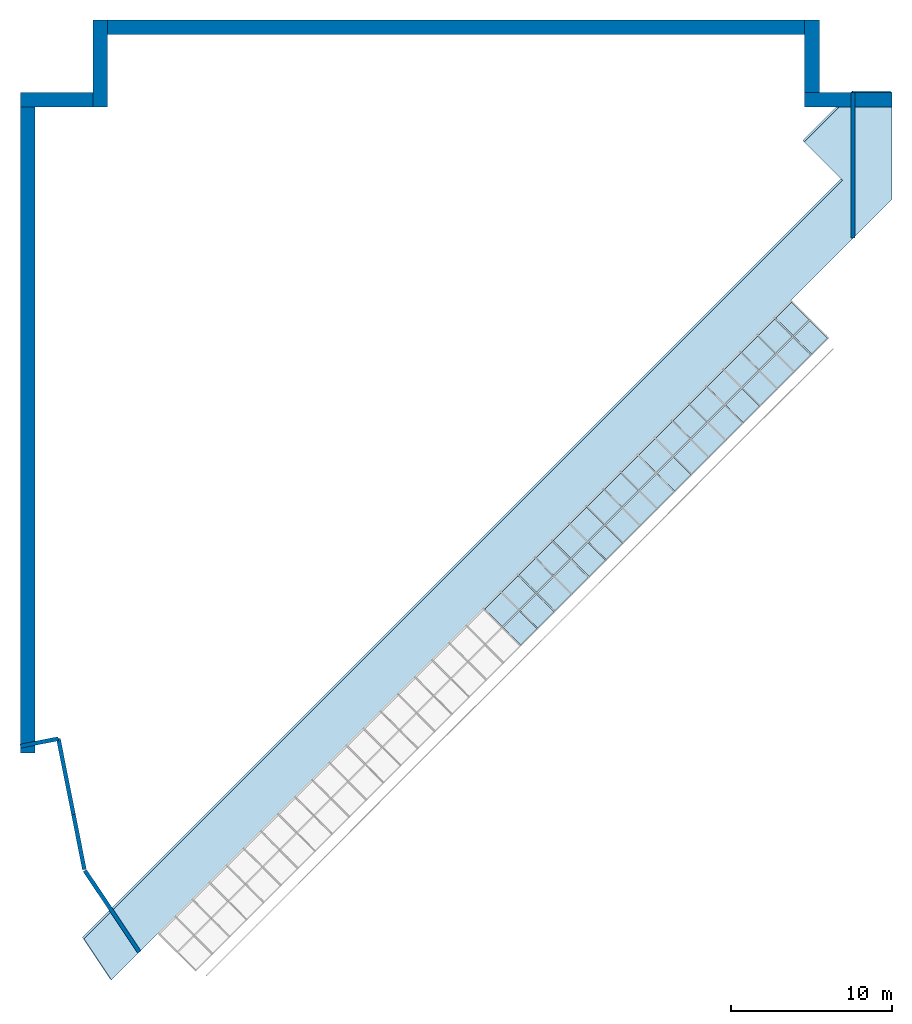
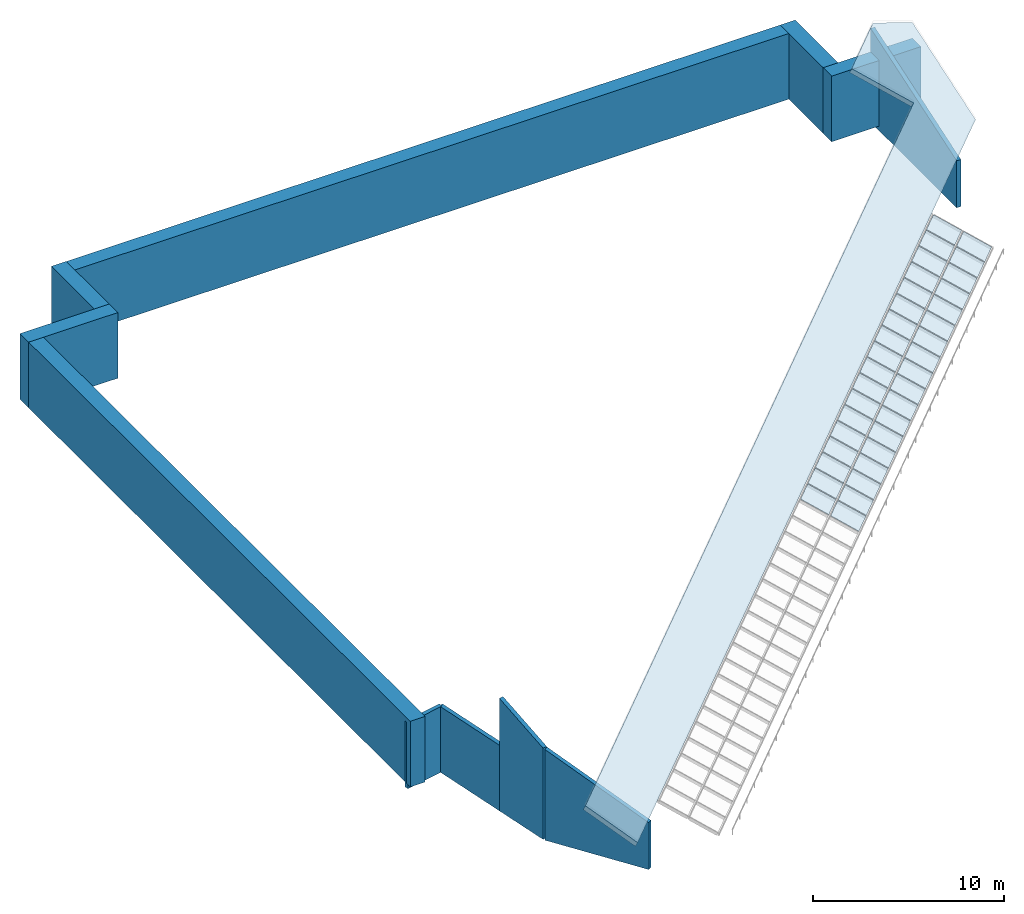
# One storey, part 3 of 4: 36 plates, 11 walls, 1 slab, 1 element without a shape of its own.
"""IFC4 building model written with IfcOpenShell, lengths in metres."""

import ifcopenshell
import ifcopenshell.guid

model = None  # the IFC model being written
_history = None  # IfcOwnerHistory: only IFC2X3 demands one
_inside = {}  # id of a spatial element -> (the spatial element, [elements in it])
_under = {}  # id of a project, library or spatial element -> (it, [spatial elements below it])
_declared = {}  # id of a project -> (the project, [libraries it declares])
_typed = {}  # id of a type object -> (the type object, [elements of that type])
_made_of = {}  # id of a material, layer set ... -> (it, [elements and type objects made of it])


def new_model(schema):
    """Start an empty IFC model of exactly this schema.

    Asked for "IFC4X3", IfcOpenShell would pick the latest addendum, in which some entities
    have other attributes; the version numbers below select the first issue.
    IFC2X3 requires an IfcOwnerHistory on every rooted entity: one is made here for all.
    """
    global model, _history
    if schema == "IFC4X3":
        model = ifcopenshell.file(schema_version=(4, 3, 0, 0))
    else:
        model = ifcopenshell.file(schema=schema)
    _inside.clear()
    _under.clear()
    _declared.clear()
    _typed.clear()
    _made_of.clear()
    _history = None
    if model.schema == "IFC2X3":
        org = make("IfcOrganization", Name="unknown")
        user = make(
            "IfcPersonAndOrganization",
            ThePerson=make("IfcPerson", FamilyName="unknown"),
            TheOrganization=org,
        )
        app = make(
            "IfcApplication",
            ApplicationDeveloper=org,
            Version="unknown",
            ApplicationFullName="unknown",
            ApplicationIdentifier="unknown",
        )
        _history = make(
            "IfcOwnerHistory",
            OwningUser=user,
            OwningApplication=app,
            ChangeAction="ADDED",
            CreationDate=0,
        )
    return model


def make(cls, **values):
    """One entity of the class cls with the attributes given. An attribute that is None is left unset."""
    return model.create_entity(
        cls, **{name: value for name, value in values.items() if value is not None}
    )


def rooted(cls, **values):
    """An entity with a GlobalId (a new one), such as an element, a storey or a relation."""
    return make(cls, GlobalId=ifcopenshell.guid.new(), OwnerHistory=_history, **values)


def si_unit(unit_type, name, prefix=None):
    """IfcSIUnit, for example si_unit("LENGTHUNIT", "METRE", prefix="MILLI")."""
    return make("IfcSIUnit", UnitType=unit_type, Prefix=prefix, Name=name)


def assignment(units):
    """IfcUnitAssignment: the units of a project."""
    return None if units is None else make("IfcUnitAssignment", Units=units)


def point(xyz):
    """IfcCartesianPoint."""
    return None if xyz is None else make("IfcCartesianPoint", Coordinates=xyz)


def direction(xyz):
    """IfcDirection."""
    return None if xyz is None else make("IfcDirection", DirectionRatios=xyz)


def frame(location, z_axis=None, x_axis=None):
    """IfcAxis2Placement3D, a coordinate frame: its origin and axes. An axis left out is left unset."""
    return make(
        "IfcAxis2Placement3D",
        Location=point(location),
        Axis=direction(z_axis),
        RefDirection=direction(x_axis),
    )


def frame_2d(location, x_axis=None):
    """IfcAxis2Placement2D, a coordinate frame in the plane: its origin and x axis."""
    return make(
        "IfcAxis2Placement2D", Location=point(location), RefDirection=direction(x_axis)
    )


def origin():
    """The frame at (0, 0, 0) with its axes left unset."""
    return frame((0.0, 0.0, 0.0))


def place(relative_to, where):
    """IfcLocalPlacement: puts the frame where relative to a parent placement (None: the world)."""
    return make(
        "IfcLocalPlacement", PlacementRelTo=relative_to, RelativePlacement=where
    )


def context(
    kind, dimensions, precision=None, world=None, true_north=None, identifier=None
):
    """IfcGeometricRepresentationContext, for example the 3D "Model" context."""
    return make(
        "IfcGeometricRepresentationContext",
        ContextIdentifier=identifier,
        ContextType=kind,
        CoordinateSpaceDimension=dimensions,
        Precision=precision,
        WorldCoordinateSystem=world,
        TrueNorth=true_north,
    )


def subcontext(parent, identifier, kind, view, scale=None):
    """IfcGeometricRepresentationSubContext, for example "Body" below "Model"."""
    return make(
        "IfcGeometricRepresentationSubContext",
        ContextIdentifier=identifier,
        ContextType=kind,
        ParentContext=parent,
        TargetScale=scale,
        TargetView=view,
    )


def project(units=None, contexts=None):
    """IfcProject with its units and contexts."""
    return rooted(
        "IfcProject",
        Name="project",
        RepresentationContexts=contexts,
        UnitsInContext=assignment(units),
    )


def spatial(cls, under=None, at=None, **own):
    """A site, building, storey or space (cls), placed at a placement, below another one or the project."""
    s = rooted(cls, ObjectPlacement=at, **own)
    if under is not None:
        _under.setdefault(under.id(), (under, []))[1].append(s)
    return s


def polyline(points):
    """IfcPolyline through the points."""
    return make("IfcPolyline", Points=[point(p) for p in points])


def profile(cls, at=None, kind="AREA", **sizes):
    """A parametric profile (cls). Its sizes go by their IFC names, for example OverallWidth=200.0."""
    return make(cls, ProfileType=kind, Position=at, **sizes)


def rectangle(**sizes):
    """IfcRectangleProfileDef."""
    return profile("IfcRectangleProfileDef", **sizes)


def outline(outer, holes=None, kind="AREA"):
    """IfcArbitraryClosedProfileDef: a profile drawn as a closed curve; with holes, ...WithVoids."""
    if holes is None:
        return make("IfcArbitraryClosedProfileDef", ProfileType=kind, OuterCurve=outer)
    return make(
        "IfcArbitraryProfileDefWithVoids",
        ProfileType=kind,
        OuterCurve=outer,
        InnerCurves=holes,
    )


def extrude(swept, where, along, depth):
    """IfcExtrudedAreaSolid: the profile swept, set in the frame where, extruded along a direction by depth."""
    return make(
        "IfcExtrudedAreaSolid",
        SweptArea=swept,
        Position=where,
        ExtrudedDirection=direction(along),
        Depth=depth,
    )


def shape(context_of_items, identifier, shape_type, items):
    """IfcShapeRepresentation: the items that make up one representation, for example the "Body"."""
    return make(
        "IfcShapeRepresentation",
        ContextOfItems=context_of_items,
        RepresentationIdentifier=identifier,
        RepresentationType=shape_type,
        Items=items,
    )


def material(Name=None, Category=None):
    """IfcMaterial."""
    return make("IfcMaterial", Name=Name, Category=Category)


def layer(
    of_material, thickness, ventilated=None, Name=None, Category=None, Priority=None
):
    """IfcMaterialLayer: one layer of a wall or slab, of a material (None: an air gap)."""
    return make(
        "IfcMaterialLayer",
        Material=of_material,
        LayerThickness=thickness,
        IsVentilated=ventilated,
        Name=Name,
        Category=Category,
        Priority=Priority,
    )


def layer_set(layers, Name=None):
    """IfcMaterialLayerSet."""
    return make("IfcMaterialLayerSet", MaterialLayers=layers, LayerSetName=Name)


def made_of(thing, what):
    """Note that an element or type object is made of a material, layer set ...; save() writes the relation."""
    if what is not None:
        _made_of.setdefault(what.id(), (what, []))[1].append(thing)
    return thing


def type_object(cls, material=None, **own):
    """A type object (cls), such as IfcWallType, which elements share."""
    return made_of(rooted(cls, **own), material)


def element(
    cls,
    number,
    at=None,
    inside=None,
    cuts=None,
    type_object=None,
    material=None,
    context=None,
    identifier="Body",
    shape_type=None,
    held_by="IfcProductDefinitionShape",
    body=None,
    shapes=None,
    **own,
):
    """One element of the class cls, such as IfcWall. Its Tag is "e" and its number.

    at: its placement. inside: the storey or other place that contains it. cuts: it is an
    opening in that element (IfcRelVoidsElement). A single representation is given by context,
    identifier, shape_type and body (its items); several are given by shapes. held_by: the class
    of the entity that holds the representations. save() writes the other relations.
    """
    e = rooted(cls, Tag="e%d" % number, ObjectPlacement=at, **own)
    if body is not None:
        shapes = [shape(context, identifier, shape_type, body)]
    if shapes is not None:
        e.Representation = make(held_by, Representations=shapes)
    if inside is not None:
        _inside.setdefault(inside.id(), (inside, []))[1].append(e)
    if cuts is not None:
        rooted(
            "IfcRelVoidsElement", RelatingBuildingElement=cuts, RelatedOpeningElement=e
        )
    if type_object is not None:
        _typed.setdefault(type_object.id(), (type_object, []))[1].append(e)
    return made_of(e, material)


def aggregate(whole, parts):
    """IfcRelAggregates: a whole, such as a stair, and the parts it consists of."""
    return rooted("IfcRelAggregates", RelatingObject=whole, RelatedObjects=parts)


def save(model, path):
    """Write the relations noted so far, then the file.

    IfcRelAggregates (storeys below a building ...), IfcRelContainedInSpatialStructure (elements
    in a storey), IfcRelDefinesByType, IfcRelAssociatesMaterial and IfcRelDeclares: one each for
    every whole, place, type object, material and project.
    """
    for whole, parts in _under.values():
        aggregate(whole, parts)
    for where, things in _inside.values():
        rooted(
            "IfcRelContainedInSpatialStructure",
            RelatedElements=things,
            RelatingStructure=where,
        )
    for kind, things in _typed.values():
        rooted("IfcRelDefinesByType", RelatedObjects=things, RelatingType=kind)
    for what, things in _made_of.values():
        rooted("IfcRelAssociatesMaterial", RelatedObjects=things, RelatingMaterial=what)
    for by, libraries in _declared.values():
        rooted("IfcRelDeclares", RelatingContext=by, RelatedDefinitions=libraries)
    model.write(path)


model = new_model("IFC4")

# Units and contexts
model_context = context("Model", 3, precision=1e-05, world=origin(), true_north=direction((0.0, 1.0)))
body_context = subcontext(model_context, "Body", "Model", "MODEL_VIEW")
ifc_project = project(units=[si_unit("LENGTHUNIT", "METRE"), si_unit("AREAUNIT", "SQUARE_METRE"), si_unit("VOLUMEUNIT", "CUBIC_METRE"), si_unit("PLANEANGLEUNIT", "RADIAN"), si_unit("MASSUNIT", "GRAM", prefix="KILO")], contexts=[model_context])

# Site, building, storey
site_placement = place(None, origin())
site = spatial("IfcSite", under=ifc_project, at=site_placement, CompositionType="ELEMENT")
building_placement = place(site_placement, origin())
building = spatial("IfcBuilding", under=site, at=building_placement, Name="Hunhe Ridgeline Campus", CompositionType="ELEMENT")
storey_placement = place(building_placement, frame((0.0, 0.0, 311.39990234375)))
storey = spatial("IfcBuildingStorey", under=building, at=storey_placement, Name="L80 Crown", CompositionType="ELEMENT", Elevation=311.39990234375)

# Slab
ifc_material_1 = material(Name="Concrete C40", Category="concrete")
ifc_layer_1 = layer(ifc_material_1, 0.300048828125)
ifc_layer_set_1 = layer_set([ifc_layer_1], Name="Roof slab 300 Concrete C40")
slab_type = type_object("IfcSlabType", Name="Roof slab 300 Concrete C40", PredefinedType="ROOF", material=ifc_layer_set_1)
slab_placement = place(storey_placement, frame((54.0, 94.5, 5.20751953125), z_axis=(0.301522620706, -0.301524085336, 0.904526027909), x_axis=(-0.948681079649, -2.1693715e-05, 0.316234420399)))
element("IfcSlab", 1, at=slab_placement, inside=storey, type_object=slab_type, Name="Crown roof slab 4", PredefinedType="ROOF", context=body_context, shape_type="SweptSolid", body=[
    extrude(outline(polyline([(0.0, 0.0), (2.507278545424144, -2.7755575615628914e-17), (5.407585217313875, 3.2062899912251406), (2.6495942608557694, 5.701079792919988), (47.243256946710545, 54.99938873642412), (45.183811387778725, 57.666794439921375), (-0.6978728124011416, 6.944577283575597), (0.0, 0.0)])), origin(), (0.0, 0.0, -1.0), 0.300048828125),
])

# Curtain wall, plates
ifc_material_2 = material(Name="Aluminium 6063", Category="aluminium")
curtain_wall_type = type_object("IfcCurtainWallType", Name="Curtain wall CW-6", PredefinedType="NOTDEFINED", material=ifc_material_2)
curtain_wall_placement = place(storey_placement, origin())
curtain_wall = element("IfcCurtainWall", 2, at=curtain_wall_placement, inside=storey, type_object=curtain_wall_type, Name="Rooflight 2", PredefinedType="NOTDEFINED")
ifc_material_3 = material(Name="Low-e laminated glass", Category="glass")
ifc_layer_2 = layer(ifc_material_3, 0.0400390625)
ifc_layer_set_2 = layer_set([ifc_layer_2], Name="Rooflight glass panel 40 low-e laminated")
plate_type = type_object("IfcPlateType", Name="Rooflight glass panel 40 low-e laminated", PredefinedType="CURTAIN_PANEL", material=ifc_layer_set_2)
plate_1_placement = place(storey_placement, frame((50.019287109375, 79.2822265625, 1.46142578125), z_axis=(0.301548655301, -0.301474033015, 0.904534032474), x_axis=(-0.639602149067, 0.639602149067, 0.426401432711)))
plate_1 = element("IfcPlate", 3, at=plate_1_placement, type_object=plate_type, Name="Rooflight panel 1.1", PredefinedType="CURTAIN_PANEL", context=body_context, shape_type="SweptSolid", body=[
    extrude(outline(polyline([(0.0, 0.0), (1.6936340109323371, -1.1218781979793757e-16), (1.6934778580639125, 1.3950512467586067), (-0.00015615286842451948, 1.395051246758607), (0.0, 0.0)])), origin(), (0.0, 0.0, -1.0), 0.0400390625),
])
plate_2_placement = place(storey_placement, frame((48.9833984375, 78.246337890625, 1.46142578125), z_axis=(0.301547745403, -0.301474942954, 0.904534032535), x_axis=(-0.639602149067, 0.639602149067, 0.426401432711)))
plate_2 = element("IfcPlate", 4, at=plate_2_placement, type_object=plate_type, Name="Rooflight panel 1.2", PredefinedType="CURTAIN_PANEL", context=body_context, shape_type="SweptSolid", body=[
    extrude(outline(polyline([(0.0, 0.0), (1.6936340109323371, 3.6469850576981155e-17), (1.6934778580639125, 1.4299232119943703), (-0.00015615286842451948, 1.4299232119943701), (0.0, 0.0)])), origin(), (0.0, 0.0, -1.0), 0.0400390625),
])
plate_3_placement = place(storey_placement, frame((47.9228515625, 77.185546875, 1.46142578125), z_axis=(0.301511344578, -0.301511344578, 0.904534033733), x_axis=(-0.639602149067, 0.639602149067, 0.426401432711)))
plate_3 = element("IfcPlate", 5, at=plate_3_placement, type_object=plate_type, Name="Rooflight panel 1.3", PredefinedType="CURTAIN_PANEL", context=body_context, shape_type="SweptSolid", body=[
    extrude(outline(polyline([(0.0, 0.0), (1.6936340109323371, 0.0), (1.693634010932337, 1.4300958435911524), (0.0, 1.4300958435911524), (0.0, 0.0)])), origin(), (0.0, 0.0, -1.0), 0.0400390625),
])
plate_4_placement = place(storey_placement, frame((46.862060546875, 76.125, 1.46142578125), z_axis=(0.301547745403, -0.301474942954, 0.904534032535), x_axis=(-0.639602149067, 0.639602149067, 0.426401432711)))
plate_4 = element("IfcPlate", 6, at=plate_4_placement, type_object=plate_type, Name="Rooflight panel 1.4", PredefinedType="CURTAIN_PANEL", context=body_context, shape_type="SweptSolid", body=[
    extrude(outline(polyline([(0.0, 0.0), (1.6936340109323371, 3.6469850576981155e-17), (1.6934778580639125, 1.4299232119943703), (-0.00015615286842451948, 1.4299232119943701), (0.0, 0.0)])), origin(), (0.0, 0.0, -1.0), 0.0400390625),
])
plate_5_placement = place(storey_placement, frame((45.801513671875, 75.064208984375, 1.46142578125), z_axis=(0.301479245877, -0.301515643227, 0.90454329979), x_axis=(-0.639608700975, 0.639608701766, 0.426381775248)))
plate_5 = element("IfcPlate", 7, at=plate_5_placement, type_object=plate_type, Name="Rooflight panel 1.5", PredefinedType="CURTAIN_PANEL", context=body_context, shape_type="SweptSolid", body=[
    extrude(outline(polyline([(0.0, 0.0), (1.6936340105324015, -2.110128478199913e-17), (1.6937901642007342, 1.4299232115205895), (-7.998715023660452e-10, 1.4300958431175164), (0.0, 0.0)])), origin(), (0.0, 0.0, -1.0), 0.0400390625),
])
plate_6_placement = place(storey_placement, frame((44.740966796875, 74.003662109375, 1.46142578125), z_axis=(0.301515643227, -0.301479245877, 0.90454329979), x_axis=(-0.639680766185, 0.639536628329, 0.426381775406)))
plate_6 = element("IfcPlate", 8, at=plate_6_placement, type_object=plate_type, Name="Rooflight panel 1.6", PredefinedType="CURTAIN_PANEL", context=body_context, shape_type="SweptSolid", body=[
    extrude(outline(polyline([(0.0, 0.0), (1.6937901737979375, 9.269928574751063e-17), (1.6937797583282785, 1.4299232200089778), (0.0001457565923979054, 1.430095835689698), (0.0, 0.0)])), origin(), (0.0, 0.0, -1.0), 0.0400390625),
])
plate_7_placement = place(storey_placement, frame((43.68017578125, 72.94287109375, 1.46142578125), z_axis=(0.301474942954, -0.301547745403, 0.904534032535), x_axis=(-0.639602149067, 0.639602149067, 0.426401432711)))
plate_7 = element("IfcPlate", 9, at=plate_7_placement, type_object=plate_type, Name="Rooflight panel 1.7", PredefinedType="CURTAIN_PANEL", context=body_context, shape_type="SweptSolid", body=[
    extrude(outline(polyline([(0.0, 0.0), (1.6936340109323371, -3.6469850576981155e-17), (1.6937901638007615, 1.4299232119943701), (0.00015615286842451948, 1.4299232119943701), (0.0, 0.0)])), origin(), (0.0, 0.0, -1.0), 0.0400390625),
])
plate_8_placement = place(storey_placement, frame((42.61962890625, 71.88232421875, 1.46142578125), z_axis=(0.301511344578, -0.301511344578, 0.904534033733), x_axis=(-0.639602149067, 0.639602149067, 0.426401432711)))
plate_8 = element("IfcPlate", 10, at=plate_8_placement, type_object=plate_type, Name="Rooflight panel 1.8", PredefinedType="CURTAIN_PANEL", context=body_context, shape_type="SweptSolid", body=[
    extrude(outline(polyline([(0.0, 0.0), (1.6936340109323371, 0.0), (1.693634010932337, 1.4300958435911524), (0.0, 1.4300958435911524), (0.0, 0.0)])), origin(), (0.0, 0.0, -1.0), 0.0400390625),
])
plate_9_placement = place(storey_placement, frame((41.558837890625, 70.821533203125, 1.46142578125), z_axis=(0.301474942954, -0.301547745403, 0.904534032535), x_axis=(-0.639602149067, 0.639602149067, 0.426401432711)))
plate_9 = element("IfcPlate", 11, at=plate_9_placement, type_object=plate_type, Name="Rooflight panel 1.9", PredefinedType="CURTAIN_PANEL", context=body_context, shape_type="SweptSolid", body=[
    extrude(outline(polyline([(0.0, 0.0), (1.6936340109323371, -3.6469850576981155e-17), (1.6937901638007615, 1.4299232119943701), (0.00015615286842451948, 1.4299232119943701), (0.0, 0.0)])), origin(), (0.0, 0.0, -1.0), 0.0400390625),
])
plate_10_placement = place(storey_placement, frame((40.498291015625, 69.760986328125, 1.46142578125), z_axis=(0.301511344578, -0.301511344578, 0.904534033733), x_axis=(-0.639602149067, 0.639602149067, 0.426401432711)))
plate_10 = element("IfcPlate", 12, at=plate_10_placement, type_object=plate_type, Name="Rooflight panel 1.10", PredefinedType="CURTAIN_PANEL", context=body_context, shape_type="SweptSolid", body=[
    extrude(outline(polyline([(0.0, 0.0), (1.6936340109323371, 0.0), (1.693634010932337, 1.4300958435911524), (0.0, 1.4300958435911524), (0.0, 0.0)])), origin(), (0.0, 0.0, -1.0), 0.0400390625),
])
plate_11_placement = place(storey_placement, frame((39.4375, 68.7001953125, 1.46142578125), z_axis=(0.301474942954, -0.301547745403, 0.904534032535), x_axis=(-0.639602149067, 0.639602149067, 0.426401432711)))
plate_11 = element("IfcPlate", 13, at=plate_11_placement, type_object=plate_type, Name="Rooflight panel 1.11", PredefinedType="CURTAIN_PANEL", context=body_context, shape_type="SweptSolid", body=[
    extrude(outline(polyline([(0.0, 0.0), (1.6936340109323371, -3.6469850576981155e-17), (1.6937901638007615, 1.4299232119943701), (0.00015615286842451948, 1.4299232119943701), (0.0, 0.0)])), origin(), (0.0, 0.0, -1.0), 0.0400390625),
])
plate_12_placement = place(storey_placement, frame((38.376953125, 67.6396484375, 1.46142578125), z_axis=(0.301511344578, -0.301511344578, 0.904534033733), x_axis=(-0.639602149067, 0.639602149067, 0.426401432711)))
plate_12 = element("IfcPlate", 14, at=plate_12_placement, type_object=plate_type, Name="Rooflight panel 1.12", PredefinedType="CURTAIN_PANEL", context=body_context, shape_type="SweptSolid", body=[
    extrude(outline(polyline([(0.0, 0.0), (1.6936340109323371, 0.0), (1.693634010932337, 1.4300958435911524), (0.0, 1.4300958435911524), (0.0, 0.0)])), origin(), (0.0, 0.0, -1.0), 0.0400390625),
])
plate_13_placement = place(storey_placement, frame((37.316162109375, 66.578857421875, 1.46142578125), z_axis=(0.301483547543, -0.301483547543, 0.904552564046), x_axis=(-0.63954317933, 0.639687317978, 0.426362119554)))
plate_13 = element("IfcPlate", 15, at=plate_13_placement, type_object=plate_type, Name="Rooflight panel 1.13", PredefinedType="CURTAIN_PANEL", context=body_context, shape_type="SweptSolid", body=[
    extrude(outline(polyline([(0.0, 0.0), (1.6937901741978365, -3.077778917143226e-17), (1.6936444168056752, 1.4300958361632525), (-0.00014572220206188202, 1.4297505691820445), (0.0, 0.0)])), origin(), (0.0, 0.0, -1.0), 0.0400390625),
])
plate_14_placement = place(storey_placement, frame((36.255615234375, 65.518310546875, 1.46142578125), z_axis=(0.301511344578, -0.301511344578, 0.904534033733), x_axis=(-0.639602149067, 0.639602149067, 0.426401432711)))
plate_14 = element("IfcPlate", 16, at=plate_14_placement, type_object=plate_type, Name="Rooflight panel 1.14", PredefinedType="CURTAIN_PANEL", context=body_context, shape_type="SweptSolid", body=[
    extrude(outline(polyline([(0.0, 0.0), (1.6936340109323371, 0.0), (1.693634010932337, 1.4300958435911524), (0.0, 1.4300958435911524), (0.0, 0.0)])), origin(), (0.0, 0.0, -1.0), 0.0400390625),
])
plate_15_placement = place(storey_placement, frame((35.19482421875, 64.457763671875, 1.46142578125), z_axis=(0.301547745403, -0.301474942954, 0.904534032535), x_axis=(-0.639602149067, 0.639602149067, 0.426401432711)))
plate_15 = element("IfcPlate", 17, at=plate_15_placement, type_object=plate_type, Name="Rooflight panel 1.15", PredefinedType="CURTAIN_PANEL", context=body_context, shape_type="SweptSolid", body=[
    extrude(outline(polyline([(0.0, 0.0), (1.6936340109323371, 3.6469850576981155e-17), (1.6934778580639125, 1.4299232119943703), (-0.00015615286842451948, 1.4299232119943701), (0.0, 0.0)])), origin(), (0.0, 0.0, -1.0), 0.0400390625),
])
plate_16_placement = place(storey_placement, frame((34.13427734375, 63.39697265625, 1.46142578125), z_axis=(0.301511344578, -0.301511344578, 0.904534033733), x_axis=(-0.639602149067, 0.639602149067, 0.426401432711)))
plate_16 = element("IfcPlate", 18, at=plate_16_placement, type_object=plate_type, Name="Rooflight panel 1.16", PredefinedType="CURTAIN_PANEL", context=body_context, shape_type="SweptSolid", body=[
    extrude(outline(polyline([(0.0, 0.0), (1.6936340109323371, 0.0), (1.693634010932337, 1.4300958435911524), (0.0, 1.4300958435911524), (0.0, 0.0)])), origin(), (0.0, 0.0, -1.0), 0.0400390625),
])
plate_17_placement = place(storey_placement, frame((33.073486328125, 62.33642578125, 1.46142578125), z_axis=(0.301547745403, -0.301474942954, 0.904534032535), x_axis=(-0.639602149067, 0.639602149067, 0.426401432711)))
plate_17 = element("IfcPlate", 19, at=plate_17_placement, type_object=plate_type, Name="Rooflight panel 1.17", PredefinedType="CURTAIN_PANEL", context=body_context, shape_type="SweptSolid", body=[
    extrude(outline(polyline([(0.0, 0.0), (1.6936340109323371, 3.6469850576981155e-17), (1.6934778580639125, 1.4299232119943703), (-0.00015615286842451948, 1.4299232119943701), (0.0, 0.0)])), origin(), (0.0, 0.0, -1.0), 0.0400390625),
])
plate_18_placement = place(storey_placement, frame((32.012939453125, 61.275634765625, 1.46142578125), z_axis=(0.301479245877, -0.301515643227, 0.90454329979), x_axis=(-0.639608700975, 0.639608701766, 0.426381775248)))
plate_18 = element("IfcPlate", 20, at=plate_18_placement, type_object=plate_type, Name="Rooflight panel 1.18", PredefinedType="CURTAIN_PANEL", context=body_context, shape_type="SweptSolid", body=[
    extrude(outline(polyline([(0.0, 0.0), (1.6936340105324015, -2.110128478199913e-17), (1.6937901642007342, 1.4299232115205895), (-7.998715023660452e-10, 1.4300958431175164), (0.0, 0.0)])), origin(), (0.0, 0.0, -1.0), 0.0400390625),
])
plate_19_placement = place(storey_placement, frame((48.865478515625, 80.43603515625, 2.230712890625), z_axis=(0.301474033015, -0.301548655301, 0.904534032474), x_axis=(-0.639602149067, 0.639602149067, 0.426401432711)))
plate_19 = element("IfcPlate", 21, at=plate_19_placement, type_object=plate_type, Name="Rooflight panel 2.1", PredefinedType="CURTAIN_PANEL", context=body_context, shape_type="SweptSolid", body=[
    extrude(outline(polyline([(0.0, 0.0), (1.6936340109323371, 1.1218781979793757e-16), (1.6937901638007615, 1.3950512467586071), (0.00015615286842451948, 1.395051246758607), (0.0, 0.0)])), origin(), (0.0, 0.0, -1.0), 0.0400390625),
])
plate_20_placement = place(storey_placement, frame((47.82958984375, 79.400146484375, 2.230712890625), z_axis=(0.301474942954, -0.301547745403, 0.904534032535), x_axis=(-0.639602149067, 0.639602149067, 0.426401432711)))
plate_20 = element("IfcPlate", 22, at=plate_20_placement, type_object=plate_type, Name="Rooflight panel 2.2", PredefinedType="CURTAIN_PANEL", context=body_context, shape_type="SweptSolid", body=[
    extrude(outline(polyline([(0.0, 0.0), (1.6936340109323371, -3.6469850576981155e-17), (1.6937901638007615, 1.4299232119943701), (0.00015615286842451948, 1.4299232119943701), (0.0, 0.0)])), origin(), (0.0, 0.0, -1.0), 0.0400390625),
])
plate_21_placement = place(storey_placement, frame((46.768798828125, 78.339599609375, 2.230712890625), z_axis=(0.301511344578, -0.301511344578, 0.904534033733), x_axis=(-0.639602149067, 0.639602149067, 0.426401432711)))
plate_21 = element("IfcPlate", 23, at=plate_21_placement, type_object=plate_type, Name="Rooflight panel 2.3", PredefinedType="CURTAIN_PANEL", context=body_context, shape_type="SweptSolid", body=[
    extrude(outline(polyline([(0.0, 0.0), (1.6936340109323371, 0.0), (1.693634010932337, 1.4300958435911524), (0.0, 1.4300958435911524), (0.0, 0.0)])), origin(), (0.0, 0.0, -1.0), 0.0400390625),
])
plate_22_placement = place(storey_placement, frame((45.708251953125, 77.27880859375, 2.230712890625), z_axis=(0.301474942954, -0.301547745403, 0.904534032535), x_axis=(-0.639602149067, 0.639602149067, 0.426401432711)))
plate_22 = element("IfcPlate", 24, at=plate_22_placement, type_object=plate_type, Name="Rooflight panel 2.4", PredefinedType="CURTAIN_PANEL", context=body_context, shape_type="SweptSolid", body=[
    extrude(outline(polyline([(0.0, 0.0), (1.6936340109323371, -3.6469850576981155e-17), (1.6937901638007615, 1.4299232119943701), (0.00015615286842451948, 1.4299232119943701), (0.0, 0.0)])), origin(), (0.0, 0.0, -1.0), 0.0400390625),
])
plate_23_placement = place(storey_placement, frame((44.6474609375, 76.21826171875, 2.230712890625), z_axis=(0.301515643227, -0.301479245877, 0.90454329979), x_axis=(-0.639608701766, 0.639608700975, 0.426381775248)))
plate_23 = element("IfcPlate", 25, at=plate_23_placement, type_object=plate_type, Name="Rooflight panel 2.5", PredefinedType="CURTAIN_PANEL", context=body_context, shape_type="SweptSolid", body=[
    extrude(outline(polyline([(0.0, 0.0), (1.6936340105324015, 2.110128478199913e-17), (1.6936340113322728, 1.4300958431175164), (-0.00015615366833288125, 1.4299232115205898), (0.0, 0.0)])), origin(), (0.0, 0.0, -1.0), 0.0400390625),
])
plate_24_placement = place(storey_placement, frame((43.5869140625, 75.157470703125, 2.230712890625), z_axis=(0.301479245877, -0.301515643227, 0.90454329979), x_axis=(-0.639536628329, 0.639680766185, 0.426381775406)))
plate_24 = element("IfcPlate", 26, at=plate_24_placement, type_object=plate_type, Name="Rooflight panel 2.6", PredefinedType="CURTAIN_PANEL", context=body_context, shape_type="SweptSolid", body=[
    extrude(outline(polyline([(0.0, 0.0), (1.6937901737979375, -9.269928574751063e-17), (1.6936444172055396, 1.4300958356896978), (1.041546965907525e-05, 1.4299232200089778), (0.0, 0.0)])), origin(), (0.0, 0.0, -1.0), 0.0400390625),
])
plate_25_placement = place(storey_placement, frame((42.526123046875, 74.096923828125, 2.230712890625), z_axis=(0.301547745403, -0.301474942954, 0.904534032535), x_axis=(-0.639602149067, 0.639602149067, 0.426401432711)))
plate_25 = element("IfcPlate", 27, at=plate_25_placement, type_object=plate_type, Name="Rooflight panel 2.7", PredefinedType="CURTAIN_PANEL", context=body_context, shape_type="SweptSolid", body=[
    extrude(outline(polyline([(0.0, 0.0), (1.6936340109323371, 3.6469850576981155e-17), (1.6934778580639125, 1.4299232119943703), (-0.00015615286842451948, 1.4299232119943701), (0.0, 0.0)])), origin(), (0.0, 0.0, -1.0), 0.0400390625),
])
plate_26_placement = place(storey_placement, frame((41.465576171875, 73.036376953125, 2.230712890625), z_axis=(0.301511344578, -0.301511344578, 0.904534033733), x_axis=(-0.639602149067, 0.639602149067, 0.426401432711)))
plate_26 = element("IfcPlate", 28, at=plate_26_placement, type_object=plate_type, Name="Rooflight panel 2.8", PredefinedType="CURTAIN_PANEL", context=body_context, shape_type="SweptSolid", body=[
    extrude(outline(polyline([(0.0, 0.0), (1.6936340109323371, 0.0), (1.693634010932337, 1.4300958435911524), (0.0, 1.4300958435911524), (0.0, 0.0)])), origin(), (0.0, 0.0, -1.0), 0.0400390625),
])
plate_27_placement = place(storey_placement, frame((40.40478515625, 71.9755859375, 2.230712890625), z_axis=(0.301547745403, -0.301474942954, 0.904534032535), x_axis=(-0.639602149067, 0.639602149067, 0.426401432711)))
plate_27 = element("IfcPlate", 29, at=plate_27_placement, type_object=plate_type, Name="Rooflight panel 2.9", PredefinedType="CURTAIN_PANEL", context=body_context, shape_type="SweptSolid", body=[
    extrude(outline(polyline([(0.0, 0.0), (1.6936340109323371, 3.6469850576981155e-17), (1.6934778580639125, 1.4299232119943703), (-0.00015615286842451948, 1.4299232119943701), (0.0, 0.0)])), origin(), (0.0, 0.0, -1.0), 0.0400390625),
])
plate_28_placement = place(storey_placement, frame((39.34423828125, 70.9150390625, 2.230712890625), z_axis=(0.301511344578, -0.301511344578, 0.904534033733), x_axis=(-0.639602149067, 0.639602149067, 0.426401432711)))
plate_28 = element("IfcPlate", 30, at=plate_28_placement, type_object=plate_type, Name="Rooflight panel 2.10", PredefinedType="CURTAIN_PANEL", context=body_context, shape_type="SweptSolid", body=[
    extrude(outline(polyline([(0.0, 0.0), (1.6936340109323371, 0.0), (1.693634010932337, 1.4300958435911524), (0.0, 1.4300958435911524), (0.0, 0.0)])), origin(), (0.0, 0.0, -1.0), 0.0400390625),
])
plate_29_placement = place(storey_placement, frame((38.283447265625, 69.854248046875, 2.230712890625), z_axis=(0.301547745403, -0.301474942954, 0.904534032535), x_axis=(-0.639602149067, 0.639602149067, 0.426401432711)))
plate_29 = element("IfcPlate", 31, at=plate_29_placement, type_object=plate_type, Name="Rooflight panel 2.11", PredefinedType="CURTAIN_PANEL", context=body_context, shape_type="SweptSolid", body=[
    extrude(outline(polyline([(0.0, 0.0), (1.6936340109323371, 3.6469850576981155e-17), (1.6934778580639125, 1.4299232119943703), (-0.00015615286842451948, 1.4299232119943701), (0.0, 0.0)])), origin(), (0.0, 0.0, -1.0), 0.0400390625),
])
plate_30_placement = place(storey_placement, frame((37.222900390625, 68.793701171875, 2.230712890625), z_axis=(0.301511344578, -0.301511344578, 0.904534033733), x_axis=(-0.639602149067, 0.639602149067, 0.426401432711)))
plate_30 = element("IfcPlate", 32, at=plate_30_placement, type_object=plate_type, Name="Rooflight panel 2.12", PredefinedType="CURTAIN_PANEL", context=body_context, shape_type="SweptSolid", body=[
    extrude(outline(polyline([(0.0, 0.0), (1.6936340109323371, 0.0), (1.693634010932337, 1.4300958435911524), (0.0, 1.4300958435911524), (0.0, 0.0)])), origin(), (0.0, 0.0, -1.0), 0.0400390625),
])
plate_31_placement = place(storey_placement, frame((36.162353515625, 67.73291015625, 2.230712890625), z_axis=(0.301483547543, -0.301483547543, 0.904552564046), x_axis=(-0.639687317978, 0.63954317933, 0.426362119554)))
plate_31 = element("IfcPlate", 33, at=plate_31_placement, type_object=plate_type, Name="Rooflight panel 2.13", PredefinedType="CURTAIN_PANEL", context=body_context, shape_type="SweptSolid", body=[
    extrude(outline(polyline([(0.0, 0.0), (1.6937901741978365, 3.077778917143226e-17), (1.6939358963998983, 1.4297505691820447), (0.00014575739216138306, 1.4300958361632525), (0.0, 0.0)])), origin(), (0.0, 0.0, -1.0), 0.0400390625),
])
plate_32_placement = place(storey_placement, frame((35.1015625, 66.67236328125, 2.230712890625), z_axis=(0.301511344578, -0.301511344578, 0.904534033733), x_axis=(-0.639602149067, 0.639602149067, 0.426401432711)))
plate_32 = element("IfcPlate", 34, at=plate_32_placement, type_object=plate_type, Name="Rooflight panel 2.14", PredefinedType="CURTAIN_PANEL", context=body_context, shape_type="SweptSolid", body=[
    extrude(outline(polyline([(0.0, 0.0), (1.6936340109323371, 0.0), (1.693634010932337, 1.4300958435911524), (0.0, 1.4300958435911524), (0.0, 0.0)])), origin(), (0.0, 0.0, -1.0), 0.0400390625),
])
plate_33_placement = place(storey_placement, frame((34.041015625, 65.611572265625, 2.230712890625), z_axis=(0.301474942954, -0.301547745403, 0.904534032535), x_axis=(-0.639602149067, 0.639602149067, 0.426401432711)))
plate_33 = element("IfcPlate", 35, at=plate_33_placement, type_object=plate_type, Name="Rooflight panel 2.15", PredefinedType="CURTAIN_PANEL", context=body_context, shape_type="SweptSolid", body=[
    extrude(outline(polyline([(0.0, 0.0), (1.6936340109323371, -3.6469850576981155e-17), (1.6937901638007615, 1.4299232119943701), (0.00015615286842451948, 1.4299232119943701), (0.0, 0.0)])), origin(), (0.0, 0.0, -1.0), 0.0400390625),
])
plate_34_placement = place(storey_placement, frame((32.980224609375, 64.551025390625, 2.230712890625), z_axis=(0.301511344578, -0.301511344578, 0.904534033733), x_axis=(-0.639602149067, 0.639602149067, 0.426401432711)))
plate_34 = element("IfcPlate", 36, at=plate_34_placement, type_object=plate_type, Name="Rooflight panel 2.16", PredefinedType="CURTAIN_PANEL", context=body_context, shape_type="SweptSolid", body=[
    extrude(outline(polyline([(0.0, 0.0), (1.6936340109323371, 0.0), (1.693634010932337, 1.4300958435911524), (0.0, 1.4300958435911524), (0.0, 0.0)])), origin(), (0.0, 0.0, -1.0), 0.0400390625),
])
plate_35_placement = place(storey_placement, frame((31.919677734375, 63.490234375, 2.230712890625), z_axis=(0.301474942954, -0.301547745403, 0.904534032535), x_axis=(-0.639602149067, 0.639602149067, 0.426401432711)))
plate_35 = element("IfcPlate", 37, at=plate_35_placement, type_object=plate_type, Name="Rooflight panel 2.17", PredefinedType="CURTAIN_PANEL", context=body_context, shape_type="SweptSolid", body=[
    extrude(outline(polyline([(0.0, 0.0), (1.6936340109323371, -3.6469850576981155e-17), (1.6937901638007615, 1.4299232119943701), (0.00015615286842451948, 1.4299232119943701), (0.0, 0.0)])), origin(), (0.0, 0.0, -1.0), 0.0400390625),
])
plate_36_placement = place(storey_placement, frame((30.85888671875, 62.4296875, 2.230712890625), z_axis=(0.301515643227, -0.301479245877, 0.90454329979), x_axis=(-0.639608701766, 0.639608700975, 0.426381775248)))
plate_36 = element("IfcPlate", 38, at=plate_36_placement, type_object=plate_type, Name="Rooflight panel 2.18", PredefinedType="CURTAIN_PANEL", context=body_context, shape_type="SweptSolid", body=[
    extrude(outline(polyline([(0.0, 0.0), (1.6936340105324015, 2.110128478199913e-17), (1.6936340113322728, 1.4300958431175164), (-0.00015615366833288125, 1.4299232115205898), (0.0, 0.0)])), origin(), (0.0, 0.0, -1.0), 0.0400390625),
])
aggregate(curtain_wall, [plate_1, plate_2, plate_3, plate_4, plate_5, plate_6, plate_7, plate_8, plate_9, plate_10, plate_11, plate_12, plate_13, plate_14, plate_15, plate_16, plate_17, plate_18, plate_19, plate_20, plate_21, plate_22, plate_23, plate_24, plate_25, plate_26, plate_27, plate_28, plate_29, plate_30, plate_31, plate_32, plate_33, plate_34, plate_35, plate_36])

# Walls
ifc_material_4 = material(Name="Concrete C50", Category="concrete")
ifc_layer_3 = layer(ifc_material_4, 0.25)
ifc_layer_set_3 = layer_set([ifc_layer_3], Name="Crown cladding wall 250 Concrete C50")
wall_type_1 = type_object("IfcWallType", Name="Crown cladding wall 250 Concrete C50", PredefinedType="SOLIDWALL", material=ifc_layer_set_3)
wall_1_placement = place(storey_placement, frame((0.0, 54.0009765625, -0.2998046875), z_axis=(0.0, 0.0, 1.0), x_axis=(0.980834085577, 0.194844801241, 0.0)))
element("IfcWall", 39, at=wall_1_placement, inside=storey, type_object=wall_type_1, Name="Crown cladding wall", PredefinedType="SOLIDWALL", context=body_context, shape_type="SweptSolid", body=[
    extrude(rectangle(XDim=2.400634765625, YDim=0.25, at=frame_2d((1.2001953125, 0.0))), origin(), (0.0, 0.0, 1.0), 4.199951171875),
])
wall_2_placement = place(storey_placement, frame((2.354736328125, 54.46875, -0.2998046875), z_axis=(0.0, 0.0, 1.0), x_axis=(0.195077752369, -0.980787780578, 0.0)))
element("IfcWall", 40, at=wall_2_placement, inside=storey, type_object=wall_type_1, Name="Crown cladding wall", PredefinedType="SOLIDWALL", context=body_context, shape_type="SweptSolid", body=[
    extrude(rectangle(XDim=4.793212890625, YDim=0.25, at=frame_2d((2.396484375, 0.0))), origin(), (0.0, 0.0, 1.0), 4.199951171875),
])
wall_3_placement = place(storey_placement, frame((3.289794921875, 49.767578125, -0.2998046875), z_axis=(0.0, 0.0, 1.0), x_axis=(0.19510235016, -0.98078288778, 0.0)))
element("IfcWall", 41, at=wall_3_placement, inside=storey, type_object=wall_type_1, Name="Crown cladding wall", PredefinedType="SOLIDWALL", context=body_context, shape_type="SweptSolid", body=[
    extrude(outline(polyline([(0.0, 0.0), (3.4736328125, 0.0), (3.473876953125, 5.838134765625), (0.0, 7.199951171875), (0.0, 0.0)])), frame((0.0, 0.125, 0.0), z_axis=(0.0, -1.0, 0.0), x_axis=(1.0, 0.0, 0.0)), (0.0, 0.0, 1.0), 0.25),
])
wall_4_placement = place(storey_placement, frame((3.99365234375, 46.29736328125, -0.2998046875), z_axis=(0.0, 0.0, 1.0), x_axis=(0.55558102861, -0.831462398818, 0.0)))
element("IfcWall", 42, at=wall_4_placement, inside=storey, type_object=wall_type_1, Name="Crown cladding wall", PredefinedType="SOLIDWALL", context=body_context, shape_type="SweptSolid", body=[
    extrude(outline(polyline([(0.0, 0.0), (6.07421875, 0.0), (6.07421875, 3.0), (0.0, 5.808349609375), (0.0, 0.0)])), frame((0.0, 0.125, 0.0), z_axis=(0.0, -1.0, 0.0), x_axis=(1.0, 0.0, 0.0)), (0.0, 0.0, 1.0), 0.25),
])
wall_5_placement = place(storey_placement, frame((51.59912109375, 85.4775390625, -0.2998046875), z_axis=(0.0, 0.0, 1.0), x_axis=(0.0, 1.0, 0.0)))
element("IfcWall", 43, at=wall_5_placement, inside=storey, type_object=wall_type_1, Name="Crown cladding wall", PredefinedType="SOLIDWALL", context=body_context, shape_type="SweptSolid", body=[
    extrude(outline(polyline([(0.0, 0.0), (9.0224609375, 0.0), (9.0224609375, 6.007568359375), (0.0, 3.0), (0.0, 0.0)])), frame((0.0, 0.125, 0.0), z_axis=(0.0, -1.0, 0.0), x_axis=(1.0, 0.0, 0.0)), (0.0, 0.0, 1.0), 0.25),
])
ifc_layer_4 = layer(ifc_material_4, 0.89990234375)
ifc_layer_set_4 = layer_set([ifc_layer_4], Name="Spine wall 900 Concrete C50")
wall_type_2 = type_object("IfcWallType", Name="Spine wall 900 Concrete C50", PredefinedType="SHEAR", material=ifc_layer_set_4)
wall_6_placement = place(storey_placement, frame((0.449951171875, 94.5, 0.0), z_axis=(0.0, 0.0, 1.0), x_axis=(0.0, -1.0, 0.0)))
element("IfcWall", 44, at=wall_6_placement, inside=storey, type_object=wall_type_2, Name="Spine wall SW4-1 L80 Crown", PredefinedType="SHEAR", context=body_context, shape_type="SweptSolid", body=[
    extrude(outline(polyline([(0.0, 0.0), (40.90576171875, 0.0), (40.90576171875, 4.2001953125), (0.0, 4.2001953125), (0.0, 0.0)])), frame((0.0, 0.449951171875, 0.0), z_axis=(0.0, -1.0, 0.0), x_axis=(1.0, 0.0, 0.0)), (0.0, 0.0, 1.0), 0.89990234375),
])
for number, where, z_axis, x_axis, name in (
    (45, (54.0, 94.050048828125, 0.0), (0.0, 0.0, 1.0), (-1.0, 0.0, 0.0), "Spine wall SW4-2 L80 Crown"),
    (46, (49.050048828125, 93.60009765625, 0.0), (0.0, 0.0, 1.0), (0.0, 1.0, 0.0), "Spine wall SW4-3 L80 Crown"),
):
    element("IfcWall", number, at=place(storey_placement, frame(where, z_axis=z_axis, x_axis=x_axis)), inside=storey, type_object=wall_type_2, Name=name, PredefinedType="SHEAR", context=body_context, shape_type="SweptSolid", body=[
        extrude(outline(polyline([(0.0, 0.0), (5.39990234375, 0.0), (5.39990234375, 4.2001953125), (0.0, 4.2001953125), (0.0, 0.0)])), frame((0.0, 0.449951171875, 0.0), z_axis=(0.0, -1.0, 0.0), x_axis=(1.0, 0.0, 0.0)), (0.0, 0.0, 1.0), 0.89990234375),
    ])
wall_7_placement = place(storey_placement, frame((49.5, 98.550048828125, 0.0), z_axis=(0.0, 0.0, 1.0), x_axis=(-1.0, 0.0, 0.0)))
element("IfcWall", 47, at=wall_7_placement, inside=storey, type_object=wall_type_2, Name="Spine wall SW4-4 L80 Crown", PredefinedType="SHEAR", context=body_context, shape_type="SweptSolid", body=[
    extrude(outline(polyline([(0.0, 0.0), (45.0, 0.0), (45.0, 4.2001953125), (0.0, 4.2001953125), (0.0, 0.0)])), frame((0.0, 0.449951171875, 0.0), z_axis=(0.0, -1.0, 0.0), x_axis=(1.0, 0.0, 0.0)), (0.0, 0.0, 1.0), 0.89990234375),
])
for number, where, z_axis, x_axis, name in (
    (48, (4.949951171875, 99.0, 0.0), (0.0, 0.0, 1.0), (0.0, -1.0, 0.0), "Spine wall SW4-5 L80 Crown"),
    (49, (5.39990234375, 94.050048828125, 0.0), (0.0, 0.0, 1.0), (-1.0, 0.0, 0.0), "Spine wall SW4-6 L80 Crown"),
):
    element("IfcWall", number, at=place(storey_placement, frame(where, z_axis=z_axis, x_axis=x_axis)), inside=storey, type_object=wall_type_2, Name=name, PredefinedType="SHEAR", context=body_context, shape_type="SweptSolid", body=[
        extrude(outline(polyline([(0.0, 0.0), (5.39990234375, 0.0), (5.39990234375, 4.2001953125), (0.0, 4.2001953125), (0.0, 0.0)])), frame((0.0, 0.449951171875, 0.0), z_axis=(0.0, -1.0, 0.0), x_axis=(1.0, 0.0, 0.0)), (0.0, 0.0, 1.0), 0.89990234375),
    ])

save(model, "model.ifc")
